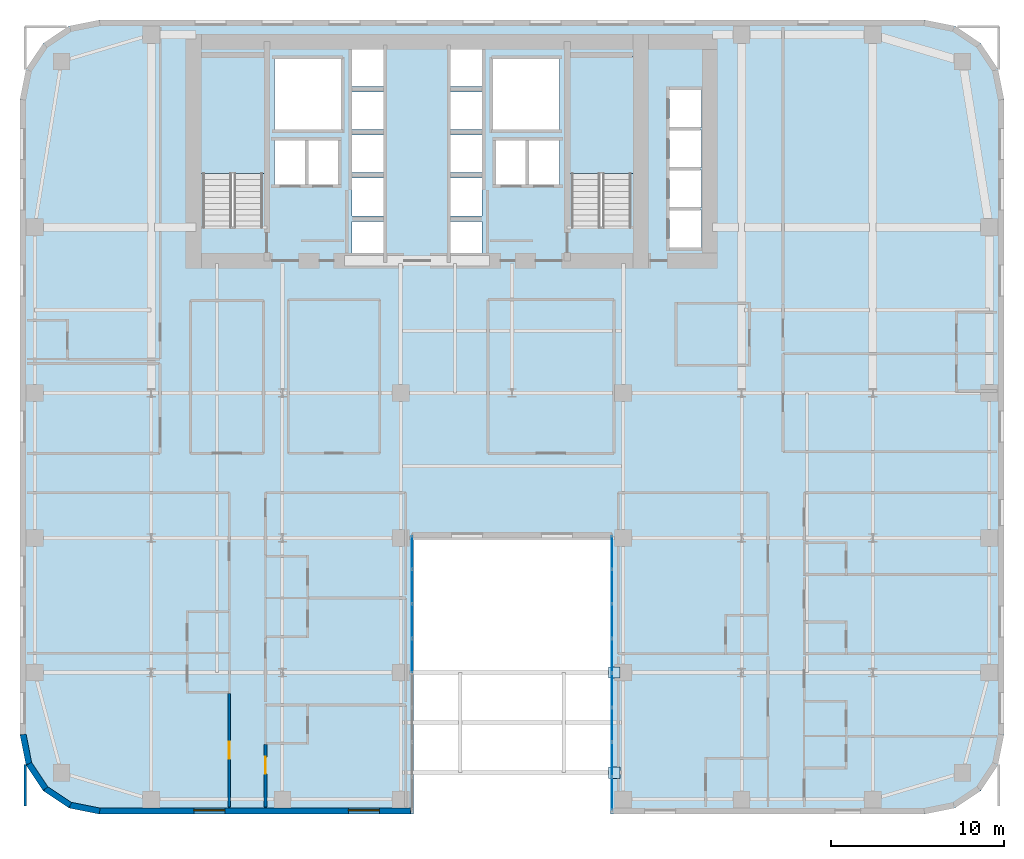
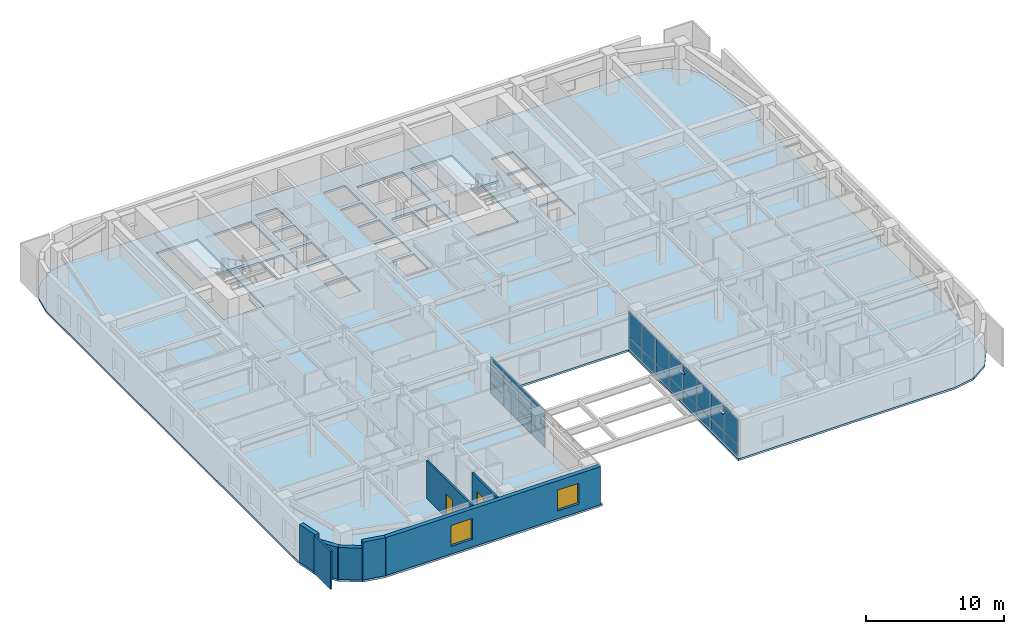
# One storey, part 9 of 16: 26 plates, 8 walls, 3 slabs, 2 doors, 2 windows, 4 openings, 4 elements without a shape of their own.
"""IFC4 building model written with IfcOpenShell, lengths in metres."""

from ifc_helpers import new_model, si_unit, direction, frame, frame_2d, origin, origin_2d, place, context, subcontext, project, spatial, polyline, rectangle, outline, extrude, source, transform, mapped, material, layer, layer_set, type_object, type_shapes, element, fill, aggregate, save


model = new_model("IFC4")

# Units and contexts
model_context = context("Model", 3, precision=1e-05, world=origin(), true_north=direction((0.0, 1.0)))
body_context = subcontext(model_context, "Body", "Model", "MODEL_VIEW")
ifc_project = project(units=[si_unit("LENGTHUNIT", "METRE"), si_unit("AREAUNIT", "SQUARE_METRE"), si_unit("VOLUMEUNIT", "CUBIC_METRE"), si_unit("PLANEANGLEUNIT", "RADIAN"), si_unit("MASSUNIT", "GRAM", prefix="KILO")], contexts=[model_context])

# Site, building, storey
site_placement = place(None, origin())
site = spatial("IfcSite", under=ifc_project, at=site_placement, CompositionType="ELEMENT")
building_placement = place(site_placement, origin())
building = spatial("IfcBuilding", under=site, at=building_placement, Name="Tolvann Quenvar Hotel", CompositionType="ELEMENT")
storey_placement = place(building_placement, frame((0.0, 0.0, 71.050048828125)))
storey = spatial("IfcBuildingStorey", under=building, at=storey_placement, Name="L17", CompositionType="ELEMENT", Elevation=71.050048828125)

# Stair, slab
ifc_material_1 = material(Name="Concrete N40 (40 MPa)", Category="concrete")
stair_type = type_object("IfcStairType", Name="STAIR", PredefinedType="HALF_TURN_STAIR", material=ifc_material_1)
stair_1_placement = place(storey_placement, origin())
stair_1 = element("IfcStair", 1, at=stair_1_placement, inside=storey, type_object=stair_type, Name="L17 ST-C1", PredefinedType="HALF_TURN_STAIR")
ifc_layer_1 = layer(ifc_material_1, 0.199951171875)
ifc_layer_set_1 = layer_set([ifc_layer_1], Name="Concrete N40 (40 MPa)")
slab_type_1 = type_object("IfcSlabType", Name="SLAB_LANDING", PredefinedType="LANDING", material=ifc_layer_set_1)
slab_1_placement = place(storey_placement, frame((0.0, 0.0, 1.574951171875)))
slab_1 = element("IfcSlab", 2, at=slab_1_placement, type_object=slab_type_1, Name="ST-C1 landing 1", PredefinedType="LANDING", context=body_context, shape_type="SweptSolid", body=[
    extrude(outline(polyline([(14.179931640625, 37.10498046875), (14.179931640625, 43.8798828125), (10.469970703125, 43.8798828125), (10.469970703125, 37.10498046875), (14.179931640625, 37.10498046875)])), origin(), (0.0, 0.0, 1.0), 0.199951171875),
])
aggregate(stair_1, [slab_1])

stair_2_placement = place(storey_placement, origin())
stair_2 = element("IfcStair", 3, at=stair_2_placement, inside=storey, type_object=stair_type, Name="L17 ST-C2", PredefinedType="HALF_TURN_STAIR")
slab_2_placement = place(storey_placement, frame((0.0, 0.0, 1.574951171875)))
slab_2 = element("IfcSlab", 4, at=slab_2_placement, type_object=slab_type_1, Name="ST-C2 landing 1", PredefinedType="LANDING", context=body_context, shape_type="SweptSolid", body=[
    extrude(outline(polyline([(35.530029296875, 37.10498046875), (35.530029296875, 43.8798828125), (31.820068359375, 43.8798828125), (31.820068359375, 37.10498046875), (35.530029296875, 37.10498046875)])), origin(), (0.0, 0.0, 1.0), 0.199951171875),
])
aggregate(stair_2, [slab_2])

# Slab
ifc_layer_2 = layer(ifc_material_1, 0.179931640625)
ifc_layer_set_2 = layer_set([ifc_layer_2], Name="Concrete N40 (40 MPa)")
slab_type_2 = type_object("IfcSlabType", Name="SLAB_TWR_180", PredefinedType="FLOOR", material=ifc_layer_set_2)
slab_3_placement = place(storey_placement, frame((0.0, 0.0, -0.179931640625)))
element("IfcSlab", 5, at=slab_3_placement, inside=storey, type_object=slab_type_2, Name="Level L17 Structural Floor Slab", PredefinedType="FLOOR", context=body_context, shape_type="SweptSolid", body=[
    extrude(outline(polyline([(0.0, 4.60009765625), (0.35009765625, 2.839599609375), (1.347412109375, 1.347412109375), (2.839599609375, 0.35009765625), (4.60009765625, 0.0), (22.800048828125, 0.0), (22.800048828125, 16.0), (34.199951171875, 16.0), (34.199951171875, 0.0), (52.39990234375, 0.0), (54.160400390625, 0.35009765625), (55.652587890625, 1.347412109375), (56.64990234375, 2.839599609375), (57.0, 4.60009765625), (57.0, 41.39990234375), (56.64990234375, 43.160400390625), (55.652587890625, 44.652587890625), (54.160400390625, 45.64990234375), (52.39990234375, 46.0), (4.60009765625, 46.0), (2.839599609375, 45.64990234375), (1.347412109375, 44.652587890625), (0.35009765625, 43.160400390625), (0.0, 41.39990234375), (0.0, 4.60009765625)]), holes=[polyline([(37.6298828125, 41.949951171875), (39.469970703125, 41.949951171875), (39.469970703125, 39.77001953125), (37.6298828125, 39.77001953125), (37.6298828125, 41.949951171875)]), polyline([(37.6298828125, 39.6298828125), (39.469970703125, 39.6298828125), (39.469970703125, 37.449951171875), (37.6298828125, 37.449951171875), (37.6298828125, 39.6298828125)]), polyline([(37.6298828125, 37.31005859375), (39.469970703125, 37.31005859375), (39.469970703125, 35.1298828125), (37.6298828125, 35.1298828125), (37.6298828125, 37.31005859375)]), polyline([(37.6298828125, 34.989990234375), (39.469970703125, 34.989990234375), (39.469970703125, 32.81005859375), (37.6298828125, 32.81005859375), (37.6298828125, 34.989990234375)]), polyline([(31.949951171875, 43.800048828125), (35.39990234375, 43.800048828125), (35.39990234375, 34.02490234375), (31.949951171875, 34.02490234375), (31.949951171875, 43.800048828125)]), polyline([(31.25, 39.02001953125), (31.25, 36.47998046875), (29.449951171875, 36.47998046875), (29.449951171875, 39.02001953125), (31.25, 39.02001953125)]), polyline([(31.25, 43.75), (31.25, 39.64990234375), (27.39990234375, 39.64990234375), (27.39990234375, 43.75), (31.25, 43.75)]), polyline([(27.574951171875, 39.02001953125), (29.324951171875, 39.02001953125), (29.324951171875, 36.47998046875), (27.574951171875, 36.47998046875), (27.574951171875, 39.02001953125)]), polyline([(26.77001953125, 36.840087890625), (26.77001953125, 34.659912109375), (24.929931640625, 34.659912109375), (24.929931640625, 36.840087890625), (26.77001953125, 36.840087890625)]), polyline([(26.77001953125, 44.340087890625), (26.77001953125, 42.159912109375), (24.929931640625, 42.159912109375), (24.929931640625, 44.340087890625), (26.77001953125, 44.340087890625)]), polyline([(26.77001953125, 41.840087890625), (26.77001953125, 39.659912109375), (24.929931640625, 39.659912109375), (24.929931640625, 41.840087890625), (26.77001953125, 41.840087890625)]), polyline([(26.77001953125, 39.340087890625), (26.77001953125, 37.159912109375), (24.929931640625, 37.159912109375), (24.929931640625, 39.340087890625), (26.77001953125, 39.340087890625)]), polyline([(24.929931640625, 34.340087890625), (26.77001953125, 34.340087890625), (26.77001953125, 32.159912109375), (24.929931640625, 32.159912109375), (24.929931640625, 34.340087890625)]), polyline([(21.070068359375, 44.340087890625), (21.070068359375, 42.159912109375), (19.22998046875, 42.159912109375), (19.22998046875, 44.340087890625), (21.070068359375, 44.340087890625)]), polyline([(19.22998046875, 41.840087890625), (21.070068359375, 41.840087890625), (21.070068359375, 39.659912109375), (19.22998046875, 39.659912109375), (19.22998046875, 41.840087890625)]), polyline([(21.070068359375, 39.340087890625), (21.070068359375, 37.159912109375), (19.22998046875, 37.159912109375), (19.22998046875, 39.340087890625), (21.070068359375, 39.340087890625)]), polyline([(19.22998046875, 36.840087890625), (21.070068359375, 36.840087890625), (21.070068359375, 34.659912109375), (19.22998046875, 34.659912109375), (19.22998046875, 36.840087890625)]), polyline([(19.22998046875, 34.340087890625), (21.070068359375, 34.340087890625), (21.070068359375, 32.159912109375), (19.22998046875, 32.159912109375), (19.22998046875, 34.340087890625)]), polyline([(18.60009765625, 43.75), (18.60009765625, 39.64990234375), (14.75, 39.64990234375), (14.75, 43.75), (18.60009765625, 43.75)]), polyline([(16.675048828125, 39.02001953125), (18.425048828125, 39.02001953125), (18.425048828125, 36.47998046875), (16.675048828125, 36.47998046875), (16.675048828125, 39.02001953125)]), polyline([(16.550048828125, 39.02001953125), (16.550048828125, 36.47998046875), (14.75, 36.47998046875), (14.75, 39.02001953125), (16.550048828125, 39.02001953125)]), polyline([(10.60009765625, 43.800048828125), (14.050048828125, 43.800048828125), (14.050048828125, 34.02490234375), (10.60009765625, 34.02490234375), (10.60009765625, 43.800048828125)])]), origin(), (0.0, 0.0, 1.0), 0.179931640625),
])

# Plates
ifc_material_2 = material(Name="Steel Grade 350", Category="steel")
ifc_layer_3 = layer(ifc_material_2, 0.050048828125)
ifc_layer_set_3 = layer_set([ifc_layer_3], Name="Steel Grade 350")
plate_type_1 = type_object("IfcPlateType", Name="PLT_BASE_50", PredefinedType="SHEET", material=ifc_layer_set_3)
shared_shape_1 = source(origin(), body_context, "Body", "SweptSolid", [
    extrude(rectangle(XDim=0.64990234375, YDim=0.64990234375, at=origin_2d()), origin(), (0.0, 0.0, 1.0), 0.050048828125),
])
type_shapes(plate_type_1, [shared_shape_1])
for number, where, z_axis, x_axis, name in (
    (6, (34.425048828125, 2.39990234375, 2.7080078125), (0.0, 0.0, 1.0), (1.0, 0.0, 0.0), "Skybridge PTFE Sliding Bearing Seat Plate 650mm (L18-S)"),
    (7, (34.425048828125, 8.199951171875, 2.7080078125), (0.0, 0.0, 1.0), (1.0, 0.0, 0.0), "Skybridge PTFE Sliding Bearing Seat Plate 650mm (L18-N)"),
):
    element("IfcPlate", number, at=place(storey_placement, frame(where, z_axis=z_axis, x_axis=x_axis)), inside=storey, type_object=plate_type_1, Name=name, PredefinedType="SHEET", context=body_context, shape_type="MappedRepresentation", body=[
        mapped(shared_shape_1, transform((0.0, 0.0, 0.0), x_axis=(1.0, 0.0, 0.0), y_axis=(0.0, 1.0, 0.0), z_axis=(0.0, 0.0, 1.0), scale=1.0)),
    ])

# Curtain wall, plate
ifc_material_3 = material(Name="Thermally broken anodised architectural aluminium 6063-T6 and laminated low-E glass", Category="aluminium")
ifc_layer_4 = layer(ifc_material_3, 0.179931640625)
ifc_layer_set_4 = layer_set([ifc_layer_4], Name="Thermally broken anodised architectural aluminium 6063-T6 and laminated low-E glass")
curtain_wall_type = type_object("IfcCurtainWallType", Name="CW_SYS_SLOT_03", PredefinedType="USERDEFINED", material=ifc_layer_set_4)
curtain_wall_1_placement = place(storey_placement, origin())
curtain_wall_1 = element("IfcCurtainWall", 8, at=curtain_wall_1_placement, inside=storey, type_object=curtain_wall_type, Name="Curtain Wall CW-SLOT-03 (CWR-L17-E05)", ObjectType="UNITISED CURTAIN WALL", PredefinedType="USERDEFINED")
ifc_material_4 = material(Name="Low-iron laminated double glazing with solar-control coating", Category="glass")
ifc_layer_5 = layer(ifc_material_4, 0.028076171875)
ifc_layer_set_5 = layer_set([ifc_layer_5], Name="Low-iron laminated double glazing with solar-control coating")
plate_type_2 = type_object("IfcPlateType", Name="CW_PAN_VISION_28", PredefinedType="CURTAIN_PANEL", material=ifc_layer_set_5)
shared_shape_2 = source(origin(), body_context, "Body", "SweptSolid", [
    extrude(rectangle(XDim=1.89501953125, YDim=0.028076171875, at=origin_2d()), origin(), (0.0, 0.0, 1.0), 0.9599609375),
])
plate_1_placement = place(storey_placement, frame((22.7099609375, 15.157470703125, 0.06005859375), z_axis=(0.0, 0.0, 1.0), x_axis=(0.0, 1.0, 0.0)))
plate_1 = element("IfcPlate", 9, at=plate_1_placement, type_object=plate_type_2, Name="CW-SLOT-03 panel 8.1", PredefinedType="CURTAIN_PANEL", context=body_context, shape_type="MappedRepresentation", body=[
    mapped(shared_shape_2, transform((0.0, 0.0, 0.0), x_axis=(1.0, 0.0, 0.0), y_axis=(0.0, 1.0, 0.0), z_axis=(0.0, 0.0, 1.0), scale=1.0)),
])

# Curtain wall, plates
curtain_wall_2_placement = place(storey_placement, origin())
curtain_wall_2 = element("IfcCurtainWall", 10, at=curtain_wall_2_placement, inside=storey, type_object=curtain_wall_type, Name="Curtain Wall CW-SLOT-03 (CWR-L17-E07)", ObjectType="UNITISED CURTAIN WALL", PredefinedType="USERDEFINED")
plate_2_placement = place(storey_placement, frame((34.2900390625, 15.157470703125, 0.06005859375), z_axis=(0.0, 0.0, 1.0), x_axis=(0.0, -1.0, 0.0)))
plate_2 = element("IfcPlate", 11, at=plate_2_placement, type_object=plate_type_2, Name="CW-SLOT-03 panel 1.1", PredefinedType="CURTAIN_PANEL", context=body_context, shape_type="MappedRepresentation", body=[
    mapped(shared_shape_2, transform((0.0, 0.0, 0.0), x_axis=(1.0, 0.0, 0.0), y_axis=(0.0, 1.0, 0.0), z_axis=(0.0, 0.0, 1.0), scale=1.0)),
])
plate_3_placement = place(storey_placement, frame((34.2900390625, 1.1923828125, 0.06005859375), z_axis=(0.0, 0.0, 1.0), x_axis=(0.0, -1.0, 0.0)))
plate_3 = element("IfcPlate", 12, at=plate_3_placement, type_object=plate_type_2, Name="CW-SLOT-03 panel 8.1", PredefinedType="CURTAIN_PANEL", context=body_context, shape_type="MappedRepresentation", body=[
    mapped(shared_shape_2, transform((0.0, 0.0, 0.0), x_axis=(1.0, 0.0, 0.0), y_axis=(0.0, 1.0, 0.0), z_axis=(0.0, 0.0, 1.0), scale=1.0)),
])

# Plate
shared_shape_3 = source(origin(), body_context, "Body", "SweptSolid", [
    extrude(rectangle(XDim=1.89501953125, YDim=0.028076171875, at=origin_2d()), origin(), (0.0, 0.0, 1.0), 2.22998046875),
])
plate_4_placement = place(storey_placement, frame((22.7099609375, 15.157470703125, 1.080078125), z_axis=(0.0, 0.0, 1.0), x_axis=(0.0, 1.0, 0.0)))
plate_4 = element("IfcPlate", 13, at=plate_4_placement, type_object=plate_type_2, Name="CW-SLOT-03 panel 8.2", PredefinedType="CURTAIN_PANEL", context=body_context, shape_type="MappedRepresentation", body=[
    mapped(shared_shape_3, transform((0.0, 0.0, 0.0), x_axis=(1.0, 0.0, 0.0), y_axis=(0.0, 1.0, 0.0), z_axis=(0.0, 0.0, 1.0), scale=1.0)),
])

plate_5_placement = place(storey_placement, frame((34.2900390625, 15.157470703125, 1.080078125), z_axis=(0.0, 0.0, 1.0), x_axis=(0.0, -1.0, 0.0)))
plate_5 = element("IfcPlate", 14, at=plate_5_placement, type_object=plate_type_2, Name="CW-SLOT-03 panel 1.2", PredefinedType="CURTAIN_PANEL", context=body_context, shape_type="MappedRepresentation", body=[
    mapped(shared_shape_3, transform((0.0, 0.0, 0.0), x_axis=(1.0, 0.0, 0.0), y_axis=(0.0, 1.0, 0.0), z_axis=(0.0, 0.0, 1.0), scale=1.0)),
])

plate_6_placement = place(storey_placement, frame((34.2900390625, 1.1923828125, 1.080078125), z_axis=(0.0, 0.0, 1.0), x_axis=(0.0, -1.0, 0.0)))
plate_6 = element("IfcPlate", 15, at=plate_6_placement, type_object=plate_type_2, Name="CW-SLOT-03 panel 8.2", PredefinedType="CURTAIN_PANEL", context=body_context, shape_type="MappedRepresentation", body=[
    mapped(shared_shape_3, transform((0.0, 0.0, 0.0), x_axis=(1.0, 0.0, 0.0), y_axis=(0.0, 1.0, 0.0), z_axis=(0.0, 0.0, 1.0), scale=1.0)),
])

shared_shape_4 = source(origin(), body_context, "Body", "SweptSolid", [
    extrude(rectangle(XDim=1.929931640625, YDim=0.028076171875, at=origin_2d()), origin(), (0.0, 0.0, 1.0), 0.9599609375),
])
plate_7_placement = place(storey_placement, frame((22.7099609375, 9.175048828125, 0.06005859375), z_axis=(0.0, 0.0, 1.0), x_axis=(0.0, 1.0, 0.0)))
plate_7 = element("IfcPlate", 16, at=plate_7_placement, type_object=plate_type_2, Name="CW-SLOT-03 panel 5.1", PredefinedType="CURTAIN_PANEL", context=body_context, shape_type="MappedRepresentation", body=[
    mapped(shared_shape_4, transform((0.0, 0.0, 0.0), x_axis=(1.0, 0.0, 0.0), y_axis=(0.0, 1.0, 0.0), z_axis=(0.0, 0.0, 1.0), scale=1.0)),
])

plate_8_placement = place(storey_placement, frame((22.7099609375, 11.175048828125, 0.06005859375), z_axis=(0.0, 0.0, 1.0), x_axis=(0.0, 1.0, 0.0)))
plate_8 = element("IfcPlate", 17, at=plate_8_placement, type_object=plate_type_2, Name="CW-SLOT-03 panel 6.1", PredefinedType="CURTAIN_PANEL", context=body_context, shape_type="MappedRepresentation", body=[
    mapped(shared_shape_4, transform((0.0, 0.0, 0.0), x_axis=(1.0, 0.0, 0.0), y_axis=(0.0, 1.0, 0.0), z_axis=(0.0, 0.0, 1.0), scale=1.0)),
])

plate_9_placement = place(storey_placement, frame((22.7099609375, 13.175048828125, 0.06005859375), z_axis=(0.0, 0.0, 1.0), x_axis=(0.0, 1.0, 0.0)))
plate_9 = element("IfcPlate", 18, at=plate_9_placement, type_object=plate_type_2, Name="CW-SLOT-03 panel 7.1", PredefinedType="CURTAIN_PANEL", context=body_context, shape_type="MappedRepresentation", body=[
    mapped(shared_shape_4, transform((0.0, 0.0, 0.0), x_axis=(1.0, 0.0, 0.0), y_axis=(0.0, 1.0, 0.0), z_axis=(0.0, 0.0, 1.0), scale=1.0)),
])

plate_10_placement = place(storey_placement, frame((34.2900390625, 13.175048828125, 0.06005859375), z_axis=(0.0, 0.0, 1.0), x_axis=(0.0, -1.0, 0.0)))
plate_10 = element("IfcPlate", 19, at=plate_10_placement, type_object=plate_type_2, Name="CW-SLOT-03 panel 2.1", PredefinedType="CURTAIN_PANEL", context=body_context, shape_type="MappedRepresentation", body=[
    mapped(shared_shape_4, transform((0.0, 0.0, 0.0), x_axis=(1.0, 0.0, 0.0), y_axis=(0.0, 1.0, 0.0), z_axis=(0.0, 0.0, 1.0), scale=1.0)),
])

plate_11_placement = place(storey_placement, frame((34.2900390625, 11.175048828125, 0.06005859375), z_axis=(0.0, 0.0, 1.0), x_axis=(0.0, -1.0, 0.0)))
plate_11 = element("IfcPlate", 20, at=plate_11_placement, type_object=plate_type_2, Name="CW-SLOT-03 panel 3.1", PredefinedType="CURTAIN_PANEL", context=body_context, shape_type="MappedRepresentation", body=[
    mapped(shared_shape_4, transform((0.0, 0.0, 0.0), x_axis=(1.0, 0.0, 0.0), y_axis=(0.0, 1.0, 0.0), z_axis=(0.0, 0.0, 1.0), scale=1.0)),
])

plate_12_placement = place(storey_placement, frame((34.2900390625, 9.175048828125, 0.06005859375), z_axis=(0.0, 0.0, 1.0), x_axis=(0.0, -1.0, 0.0)))
plate_12 = element("IfcPlate", 21, at=plate_12_placement, type_object=plate_type_2, Name="CW-SLOT-03 panel 4.1", PredefinedType="CURTAIN_PANEL", context=body_context, shape_type="MappedRepresentation", body=[
    mapped(shared_shape_4, transform((0.0, 0.0, 0.0), x_axis=(1.0, 0.0, 0.0), y_axis=(0.0, 1.0, 0.0), z_axis=(0.0, 0.0, 1.0), scale=1.0)),
])

plate_13_placement = place(storey_placement, frame((34.2900390625, 7.175048828125, 0.06005859375), z_axis=(0.0, 0.0, 1.0), x_axis=(0.0, -1.0, 0.0)))
plate_13 = element("IfcPlate", 22, at=plate_13_placement, type_object=plate_type_2, Name="CW-SLOT-03 panel 5.1", PredefinedType="CURTAIN_PANEL", context=body_context, shape_type="MappedRepresentation", body=[
    mapped(shared_shape_4, transform((0.0, 0.0, 0.0), x_axis=(1.0, 0.0, 0.0), y_axis=(0.0, 1.0, 0.0), z_axis=(0.0, 0.0, 1.0), scale=1.0)),
])

plate_14_placement = place(storey_placement, frame((34.2900390625, 5.175048828125, 0.06005859375), z_axis=(0.0, 0.0, 1.0), x_axis=(0.0, -1.0, 0.0)))
plate_14 = element("IfcPlate", 23, at=plate_14_placement, type_object=plate_type_2, Name="CW-SLOT-03 panel 6.1", PredefinedType="CURTAIN_PANEL", context=body_context, shape_type="MappedRepresentation", body=[
    mapped(shared_shape_4, transform((0.0, 0.0, 0.0), x_axis=(1.0, 0.0, 0.0), y_axis=(0.0, 1.0, 0.0), z_axis=(0.0, 0.0, 1.0), scale=1.0)),
])

plate_15_placement = place(storey_placement, frame((34.2900390625, 3.175048828125, 0.06005859375), z_axis=(0.0, 0.0, 1.0), x_axis=(0.0, -1.0, 0.0)))
plate_15 = element("IfcPlate", 24, at=plate_15_placement, type_object=plate_type_2, Name="CW-SLOT-03 panel 7.1", PredefinedType="CURTAIN_PANEL", context=body_context, shape_type="MappedRepresentation", body=[
    mapped(shared_shape_4, transform((0.0, 0.0, 0.0), x_axis=(1.0, 0.0, 0.0), y_axis=(0.0, 1.0, 0.0), z_axis=(0.0, 0.0, 1.0), scale=1.0)),
])

shared_shape_5 = source(origin(), body_context, "Body", "SweptSolid", [
    extrude(rectangle(XDim=1.929931640625, YDim=0.028076171875, at=origin_2d()), origin(), (0.0, 0.0, 1.0), 2.22998046875),
])
type_shapes(plate_type_2, [shared_shape_2, shared_shape_3, shared_shape_4, shared_shape_5])
plate_16_placement = place(storey_placement, frame((22.7099609375, 9.175048828125, 1.080078125), z_axis=(0.0, 0.0, 1.0), x_axis=(0.0, 1.0, 0.0)))
plate_16 = element("IfcPlate", 25, at=plate_16_placement, type_object=plate_type_2, Name="CW-SLOT-03 panel 5.2", PredefinedType="CURTAIN_PANEL", context=body_context, shape_type="MappedRepresentation", body=[
    mapped(shared_shape_5, transform((0.0, 0.0, 0.0), x_axis=(1.0, 0.0, 0.0), y_axis=(0.0, 1.0, 0.0), z_axis=(0.0, 0.0, 1.0), scale=1.0)),
])

plate_17_placement = place(storey_placement, frame((22.7099609375, 11.175048828125, 1.080078125), z_axis=(0.0, 0.0, 1.0), x_axis=(0.0, 1.0, 0.0)))
plate_17 = element("IfcPlate", 26, at=plate_17_placement, type_object=plate_type_2, Name="CW-SLOT-03 panel 6.2", PredefinedType="CURTAIN_PANEL", context=body_context, shape_type="MappedRepresentation", body=[
    mapped(shared_shape_5, transform((0.0, 0.0, 0.0), x_axis=(1.0, 0.0, 0.0), y_axis=(0.0, 1.0, 0.0), z_axis=(0.0, 0.0, 1.0), scale=1.0)),
])

plate_18_placement = place(storey_placement, frame((22.7099609375, 13.175048828125, 1.080078125), z_axis=(0.0, 0.0, 1.0), x_axis=(0.0, 1.0, 0.0)))
plate_18 = element("IfcPlate", 27, at=plate_18_placement, type_object=plate_type_2, Name="CW-SLOT-03 panel 7.2", PredefinedType="CURTAIN_PANEL", context=body_context, shape_type="MappedRepresentation", body=[
    mapped(shared_shape_5, transform((0.0, 0.0, 0.0), x_axis=(1.0, 0.0, 0.0), y_axis=(0.0, 1.0, 0.0), z_axis=(0.0, 0.0, 1.0), scale=1.0)),
])

aggregate(curtain_wall_1, [plate_7, plate_16, plate_8, plate_17, plate_9, plate_18, plate_1, plate_4])

plate_19_placement = place(storey_placement, frame((34.2900390625, 13.175048828125, 1.080078125), z_axis=(0.0, 0.0, 1.0), x_axis=(0.0, -1.0, 0.0)))
plate_19 = element("IfcPlate", 28, at=plate_19_placement, type_object=plate_type_2, Name="CW-SLOT-03 panel 2.2", PredefinedType="CURTAIN_PANEL", context=body_context, shape_type="MappedRepresentation", body=[
    mapped(shared_shape_5, transform((0.0, 0.0, 0.0), x_axis=(1.0, 0.0, 0.0), y_axis=(0.0, 1.0, 0.0), z_axis=(0.0, 0.0, 1.0), scale=1.0)),
])

plate_20_placement = place(storey_placement, frame((34.2900390625, 11.175048828125, 1.080078125), z_axis=(0.0, 0.0, 1.0), x_axis=(0.0, -1.0, 0.0)))
plate_20 = element("IfcPlate", 29, at=plate_20_placement, type_object=plate_type_2, Name="CW-SLOT-03 panel 3.2", PredefinedType="CURTAIN_PANEL", context=body_context, shape_type="MappedRepresentation", body=[
    mapped(shared_shape_5, transform((0.0, 0.0, 0.0), x_axis=(1.0, 0.0, 0.0), y_axis=(0.0, 1.0, 0.0), z_axis=(0.0, 0.0, 1.0), scale=1.0)),
])

plate_21_placement = place(storey_placement, frame((34.2900390625, 9.175048828125, 1.080078125), z_axis=(0.0, 0.0, 1.0), x_axis=(0.0, -1.0, 0.0)))
plate_21 = element("IfcPlate", 30, at=plate_21_placement, type_object=plate_type_2, Name="CW-SLOT-03 panel 4.2", PredefinedType="CURTAIN_PANEL", context=body_context, shape_type="MappedRepresentation", body=[
    mapped(shared_shape_5, transform((0.0, 0.0, 0.0), x_axis=(1.0, 0.0, 0.0), y_axis=(0.0, 1.0, 0.0), z_axis=(0.0, 0.0, 1.0), scale=1.0)),
])

plate_22_placement = place(storey_placement, frame((34.2900390625, 7.175048828125, 1.080078125), z_axis=(0.0, 0.0, 1.0), x_axis=(0.0, -1.0, 0.0)))
plate_22 = element("IfcPlate", 31, at=plate_22_placement, type_object=plate_type_2, Name="CW-SLOT-03 panel 5.2", PredefinedType="CURTAIN_PANEL", context=body_context, shape_type="MappedRepresentation", body=[
    mapped(shared_shape_5, transform((0.0, 0.0, 0.0), x_axis=(1.0, 0.0, 0.0), y_axis=(0.0, 1.0, 0.0), z_axis=(0.0, 0.0, 1.0), scale=1.0)),
])

plate_23_placement = place(storey_placement, frame((34.2900390625, 5.175048828125, 1.080078125), z_axis=(0.0, 0.0, 1.0), x_axis=(0.0, -1.0, 0.0)))
plate_23 = element("IfcPlate", 32, at=plate_23_placement, type_object=plate_type_2, Name="CW-SLOT-03 panel 6.2", PredefinedType="CURTAIN_PANEL", context=body_context, shape_type="MappedRepresentation", body=[
    mapped(shared_shape_5, transform((0.0, 0.0, 0.0), x_axis=(1.0, 0.0, 0.0), y_axis=(0.0, 1.0, 0.0), z_axis=(0.0, 0.0, 1.0), scale=1.0)),
])

plate_24_placement = place(storey_placement, frame((34.2900390625, 3.175048828125, 1.080078125), z_axis=(0.0, 0.0, 1.0), x_axis=(0.0, -1.0, 0.0)))
plate_24 = element("IfcPlate", 33, at=plate_24_placement, type_object=plate_type_2, Name="CW-SLOT-03 panel 7.2", PredefinedType="CURTAIN_PANEL", context=body_context, shape_type="MappedRepresentation", body=[
    mapped(shared_shape_5, transform((0.0, 0.0, 0.0), x_axis=(1.0, 0.0, 0.0), y_axis=(0.0, 1.0, 0.0), z_axis=(0.0, 0.0, 1.0), scale=1.0)),
])

aggregate(curtain_wall_2, [plate_2, plate_5, plate_10, plate_19, plate_11, plate_20, plate_12, plate_21, plate_13, plate_22, plate_14, plate_23, plate_15, plate_24, plate_3, plate_6])

# Walls
ifc_material_5 = material(Name="Kiln-fired red and buff architectural clay brickwork and terracotta masonry", Category="masonry")
ifc_layer_6 = layer(ifc_material_5, 0.35009765625)
ifc_layer_set_6 = layer_set([ifc_layer_6], Name="Kiln-fired red and buff architectural clay brickwork and terracotta masonry")
wall_type_1 = type_object("IfcWallType", Name="WALL_EXT_BRICK_350", PredefinedType="SOLIDWALL", material=ifc_layer_set_6)
for number, where, z_axis, x_axis, name in (
    (34, (0.514892578125, 2.907958984375, 0.0), (0.0, 0.0, 1.0), (0.55554893791, -0.831483840845, 0.0), "Exterior Chicago Brick Wall L17-E01"),
    (35, (1.473388671875, 1.473388671875, 0.0), (0.0, 0.0, 1.0), (0.831483840845, -0.55554893791, 0.0), "Exterior Chicago Brick Wall L17-E02"),
):
    element("IfcWall", number, at=place(storey_placement, frame(where, z_axis=z_axis, x_axis=x_axis)), inside=storey, type_object=wall_type_1, Name=name, PredefinedType="SOLIDWALL", context=body_context, shape_type="SweptSolid", body=[
        extrude(rectangle(XDim=1.725341796875, YDim=0.35009765625, at=frame_2d((0.86279296875, 0.0))), origin(), (0.0, 0.0, 1.0), 2.83203125),
    ])
wall_1_placement = place(storey_placement, frame((2.907958984375, 0.514892578125, 0.0), z_axis=(0.0, 0.0, 1.0), x_axis=(0.980800971659, -0.195011420161, 0.0)))
element("IfcWall", 36, at=wall_1_placement, inside=storey, type_object=wall_type_1, Name="Exterior Chicago Brick Wall L17-E03", PredefinedType="SOLIDWALL", context=body_context, shape_type="SweptSolid", body=[
    extrude(rectangle(XDim=1.74267578125, YDim=0.35009765625, at=frame_2d((0.871337890625, 0.0))), origin(), (0.0, 0.0, 1.0), 3.369873046875),
])

# Wall, openings, windows
wall_2_placement = place(storey_placement, frame((4.6171875, 0.175048828125, 0.0), z_axis=(0.0, 0.0, 1.0), x_axis=(1.0, 0.0, 0.0)))
wall_2 = element("IfcWall", 37, at=wall_2_placement, inside=storey, type_object=wall_type_1, Name="Exterior Chicago Brick Wall L17-E04", PredefinedType="SOLIDWALL", context=body_context, shape_type="SweptSolid", body=[
    extrude(rectangle(XDim=18.0078125, YDim=0.35009765625, at=frame_2d((9.00390625, 0.0))), origin(), (0.0, 0.0, 1.0), 3.369873046875),
])
opening_1_placement = place(wall_2_placement, frame((5.452880859375, 0.0, 0.679931640625)))
opening_1 = element("IfcOpeningElement", 38, at=opening_1_placement, cuts=wall_2, Name="Opening W-03", PredefinedType="OPENING", context=body_context, shape_type="SweptSolid", body=[
    extrude(rectangle(XDim=1.800048828125, YDim=1.85009765625, at=frame_2d((0.89990234375, 0.925048828125))), frame((0.0, 0.18505859375, 0.0), z_axis=(0.0, -1.0, 0.0), x_axis=(1.0, 0.0, 0.0)), (0.0, 0.0, 1.0), 0.3701171875),
])
opening_2_placement = place(wall_2_placement, frame((14.406982421875, 0.0, 0.679931640625)))
opening_2 = element("IfcOpeningElement", 39, at=opening_2_placement, cuts=wall_2, Name="Opening W-03", PredefinedType="OPENING", context=body_context, shape_type="SweptSolid", body=[
    extrude(rectangle(XDim=1.800048828125, YDim=1.85009765625, at=frame_2d((0.89990234375, 0.925048828125))), frame((0.0, 0.18505859375, 0.0), z_axis=(0.0, -1.0, 0.0), x_axis=(1.0, 0.0, 0.0)), (0.0, 0.0, 1.0), 0.3701171875),
])
ifc_material_6 = material(Name="Thermally broken bronze-anodised aluminium frame with double low-E glazing", Category="aluminium")
window_type = type_object("IfcWindowType", Name="WIN_CHI_1800x2050", PartitioningType="TRIPLE_PANEL_HORIZONTAL", PredefinedType="WINDOW", material=ifc_material_6)
shared_shape_6 = source(origin(), body_context, "Body", "SweptSolid", [
    extrude(rectangle(XDim=1.800048828125, YDim=1.85009765625, at=frame_2d((0.89990234375, 0.925048828125))), frame((0.0, 0.090087890625, 0.0), z_axis=(0.0, -1.0, 0.0), x_axis=(1.0, 0.0, 0.0)), (0.0, 0.0, 1.0), 0.06005859375),
])
type_shapes(window_type, [shared_shape_6])
window_1_placement = place(opening_1_placement, origin())
window_1 = element("IfcWindow", 40, at=window_1_placement, inside=storey, type_object=window_type, Name="Chicago Window W-03 (EW-L17-E04-W01)", OverallHeight=1.85009765625, OverallWidth=1.800048828125, PartitioningType="TRIPLE_PANEL_HORIZONTAL", PredefinedType="WINDOW", context=body_context, shape_type="MappedRepresentation", body=[
    mapped(shared_shape_6, transform((0.0, 0.0, 0.0), x_axis=(1.0, 0.0, 0.0), y_axis=(0.0, 1.0, 0.0), z_axis=(0.0, 0.0, 1.0), scale=1.0)),
])
fill(opening_1, window_1)
window_2_placement = place(opening_2_placement, origin())
window_2 = element("IfcWindow", 41, at=window_2_placement, inside=storey, type_object=window_type, Name="Chicago Window W-03 (EW-L17-E04-W02)", OverallHeight=1.85009765625, OverallWidth=1.800048828125, PartitioningType="TRIPLE_PANEL_HORIZONTAL", PredefinedType="WINDOW", context=body_context, shape_type="MappedRepresentation", body=[
    mapped(shared_shape_6, transform((0.0, 0.0, 0.0), x_axis=(1.0, 0.0, 0.0), y_axis=(0.0, 1.0, 0.0), z_axis=(0.0, 0.0, 1.0), scale=1.0)),
])
fill(opening_2, window_2)

# Wall
wall_3_placement = place(storey_placement, frame((0.175048828125, 4.6171875, 0.0), z_axis=(0.0, 0.0, 1.0), x_axis=(0.195011420161, -0.980800971659, 0.0)))
element("IfcWall", 42, at=wall_3_placement, inside=storey, type_object=wall_type_1, Name="Exterior Chicago Brick Wall L17-E24", PredefinedType="SOLIDWALL", context=body_context, shape_type="SweptSolid", body=[
    extrude(rectangle(XDim=1.74267578125, YDim=0.35009765625, at=frame_2d((0.871337890625, 0.0))), origin(), (0.0, 0.0, 1.0), 3.369873046875),
])

# Wall, opening, door
ifc_material_7 = material(Name="Acoustic twin-stud fire-rated gypsum plasterboard partition")
ifc_layer_7 = layer(ifc_material_7, 0.14990234375)
ifc_layer_set_7 = layer_set([ifc_layer_7], Name="Acoustic twin-stud fire-rated gypsum plasterboard partition")
wall_type_2 = type_object("IfcWallType", Name="WALL_PART_SUITE_150", PredefinedType="PARTITIONING", material=ifc_layer_set_7)
wall_4_placement = place(storey_placement, frame((12.1298828125, 0.405029296875, 0.0), z_axis=(0.0, 0.0, 1.0), x_axis=(0.0, 1.0, 0.0)))
wall_4 = element("IfcWall", 43, at=wall_4_placement, inside=storey, type_object=wall_type_2, Name="Interior Partition PT-SPC-L17-RM-WO01-ENT", PredefinedType="PARTITIONING", context=body_context, shape_type="SweptSolid", body=[
    extrude(rectangle(XDim=6.5849609375, YDim=0.14990234375, at=frame_2d((3.29248046875, 0.0))), origin(), (0.0, 0.0, 1.0), 3.369873046875),
])
opening_3_placement = place(wall_4_placement, frame((2.81005859375, 0.0, 0.0)))
opening_3 = element("IfcOpeningElement", 44, at=opening_3_placement, cuts=wall_4, Name="Opening SD-01", PredefinedType="OPENING", context=body_context, shape_type="SweptSolid", body=[
    extrude(rectangle(XDim=0.97998046875, YDim=2.1201171875, at=frame_2d((0.489990234375, 1.06005859375))), frame((0.0, 0.0849609375, 0.0), z_axis=(0.0, -1.0, 0.0), x_axis=(1.0, 0.0, 0.0)), (0.0, 0.0, 1.0), 0.169921875),
])
ifc_material_8 = material(Name="Solid-core American oak acoustic fire door leaf in steel frame", Category="steel")
door_type = type_object("IfcDoorType", Name="DOOR_SUITE_980", OperationType="NOTDEFINED", PredefinedType="DOOR", material=ifc_material_8)
shared_shape_7 = source(origin(), body_context, "Body", "SweptSolid", [
    extrude(rectangle(XDim=0.97998046875, YDim=2.1201171875, at=frame_2d((0.489990234375, 1.06005859375))), frame((0.0, 0.02490234375, 0.0), z_axis=(0.0, -1.0, 0.0), x_axis=(1.0, 0.0, 0.0)), (0.0, 0.0, 1.0), 0.050048828125),
])
type_shapes(door_type, [shared_shape_7])
door_1_placement = place(opening_3_placement, origin())
door_1 = element("IfcDoor", 45, at=door_1_placement, inside=storey, type_object=door_type, Name="Interior Door DOOR-SPC-L17-RM-WO01", OperationType="SINGLE_SWING_RIGHT", OverallHeight=2.1201171875, OverallWidth=0.97998046875, PredefinedType="DOOR", context=body_context, shape_type="MappedRepresentation", body=[
    mapped(shared_shape_7, transform((0.0, 0.0, 0.0), x_axis=(1.0, 0.0, 0.0), y_axis=(0.0, 1.0, 0.0), z_axis=(0.0, 0.0, 1.0), scale=1.0)),
])
fill(opening_3, door_1)

# Wall
wall_5_placement = place(storey_placement, frame((0.300048828125, 0.47998046875, 0.0), z_axis=(0.0, 0.0, 1.0), x_axis=(0.0, 1.0, 0.0)))
element("IfcWall", 46, at=wall_5_placement, inside=storey, type_object=wall_type_2, Name="Interior Partition PT-SPC-L17-RM-WO01-E6", PredefinedType="PARTITIONING", context=body_context, shape_type="SweptSolid", body=[
    extrude(rectangle(XDim=2.385009765625, YDim=0.14990234375, at=frame_2d((1.1923828125, 0.0))), origin(), (0.0, 0.0, 1.0), 3.369873046875),
])

# Wall, opening, door
wall_6_placement = place(storey_placement, frame((14.219970703125, 0.405029296875, 0.0), z_axis=(0.0, 0.0, 1.0), x_axis=(0.0, 1.0, 0.0)))
wall_6 = element("IfcWall", 47, at=wall_6_placement, inside=storey, type_object=wall_type_2, Name="Interior Partition PT-SPC-L17-RM-WI01-ENT", PredefinedType="PARTITIONING", context=body_context, shape_type="SweptSolid", body=[
    extrude(rectangle(XDim=3.615966796875, YDim=0.14990234375, at=frame_2d((1.80810546875, 0.0))), origin(), (0.0, 0.0, 1.0), 3.369873046875),
])
opening_4_placement = place(wall_6_placement, frame((1.925537109375, 0.0, 0.0)))
opening_4 = element("IfcOpeningElement", 48, at=opening_4_placement, cuts=wall_6, Name="Opening SD-01", PredefinedType="OPENING", context=body_context, shape_type="SweptSolid", body=[
    extrude(rectangle(XDim=0.97998046875, YDim=2.1201171875, at=frame_2d((0.489990234375, 1.06005859375))), frame((0.0, 0.0849609375, 0.0), z_axis=(0.0, -1.0, 0.0), x_axis=(1.0, 0.0, 0.0)), (0.0, 0.0, 1.0), 0.169921875),
])
door_2_placement = place(opening_4_placement, origin())
door_2 = element("IfcDoor", 49, at=door_2_placement, inside=storey, type_object=door_type, Name="Interior Door DOOR-SPC-L17-RM-WI01", OperationType="SINGLE_SWING_RIGHT", OverallHeight=2.1201171875, OverallWidth=0.97998046875, PredefinedType="DOOR", context=body_context, shape_type="MappedRepresentation", body=[
    mapped(shared_shape_7, transform((0.0, 0.0, 0.0), x_axis=(1.0, 0.0, 0.0), y_axis=(0.0, 1.0, 0.0), z_axis=(0.0, 0.0, 1.0), scale=1.0)),
])
fill(opening_4, door_2)

save(model, "model.ifc")
